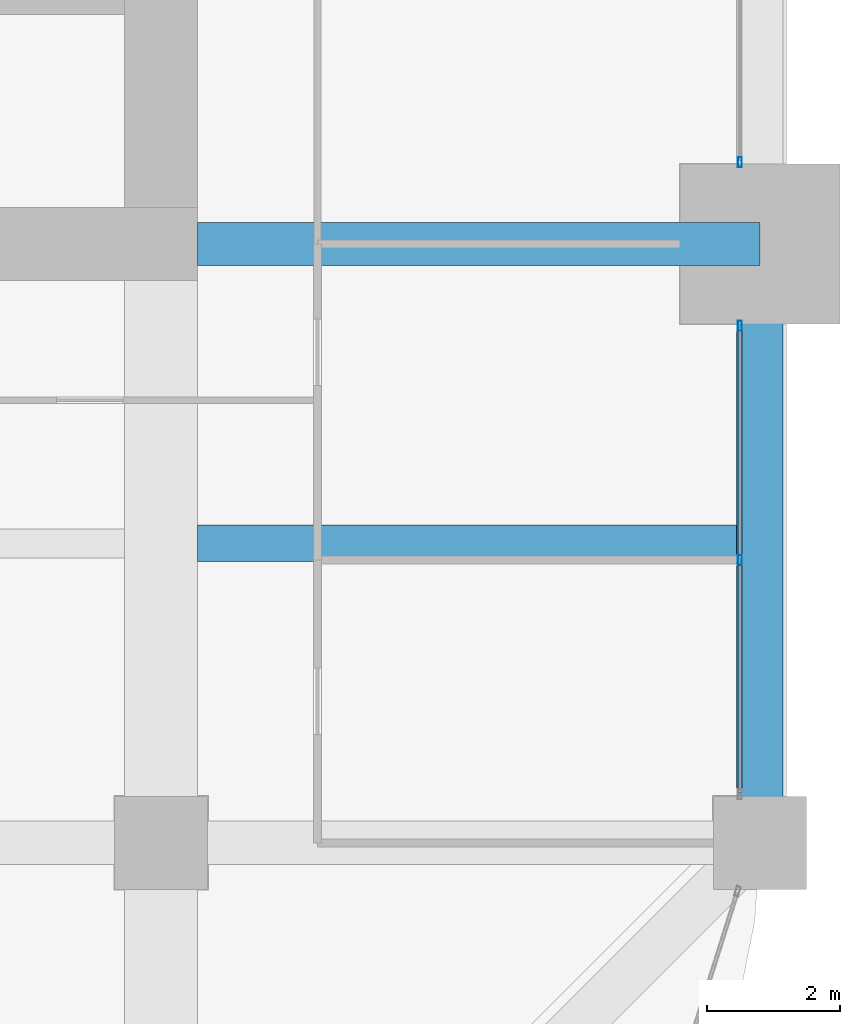
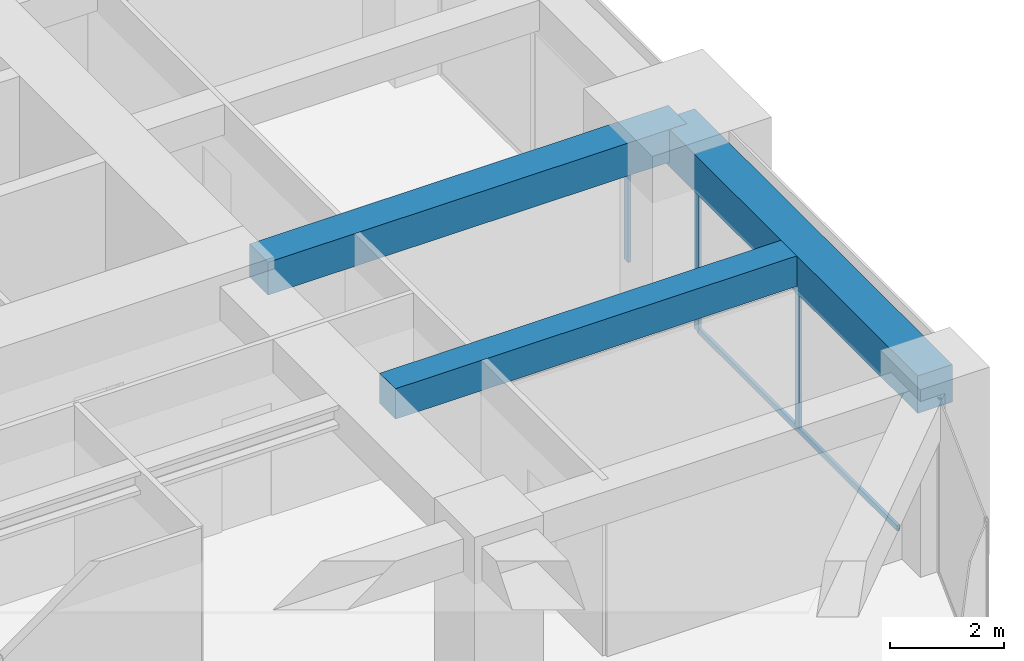
# One storey, part 17 of 32: 4 members, 3 beams, 2 elements without a shape of their own.
"""IFC4 building model written with IfcOpenShell, lengths in metres."""

from ifc_helpers import new_model, si_unit, direction, frame, origin, origin_2d, place, context, subcontext, project, spatial, rectangle, hollow_rectangle, extrude, material, material_profile, profile_set, type_object, element, aggregate, save


model = new_model("IFC4")

# Units and contexts
model_context = context("Model", 3, precision=1e-05, world=origin(), true_north=direction((0.0, 1.0)))
body_context = subcontext(model_context, "Body", "Model", "MODEL_VIEW")
ifc_project = project(units=[si_unit("LENGTHUNIT", "METRE"), si_unit("AREAUNIT", "SQUARE_METRE"), si_unit("VOLUMEUNIT", "CUBIC_METRE"), si_unit("PLANEANGLEUNIT", "RADIAN"), si_unit("MASSUNIT", "GRAM", prefix="KILO")], contexts=[model_context])

# Site, building, storey
site_placement = place(None, origin())
site = spatial("IfcSite", under=ifc_project, at=site_placement, CompositionType="ELEMENT")
building_placement = place(site_placement, origin())
building = spatial("IfcBuilding", under=site, at=building_placement, Name="Zorevar Civic Tower", CompositionType="ELEMENT")
storey_placement = place(building_placement, frame((0.0, 0.0, 202.199951171875)))
storey = spatial("IfcBuildingStorey", under=building, at=storey_placement, Name="L49", CompositionType="ELEMENT", Elevation=202.199951171875)

# Beams
ifc_material_1 = material(Name="Concrete C50/60", Category="concrete")
ifc_material_profile_1 = material_profile(ifc_material_1, rectangle(XDim=0.550048828125, YDim=0.64990234375, at=origin_2d()), Name="RC 550x650")
ifc_profile_set_1 = profile_set([ifc_material_profile_1], Name="Concrete C50/60")
beam_type_1 = type_object("IfcBeamType", Name="Beam RC 550x650", PredefinedType="BEAM", material=ifc_profile_set_1)
beam_1_placement = place(storey_placement, frame((45.550048828125, 13.5, 3.425048828125), z_axis=(1.0, 0.0, 0.0), x_axis=(0.0, 1.0, 0.0)))
element("IfcBeam", 1, at=beam_1_placement, inside=storey, type_object=beam_type_1, Name="Secondary beam L50", PredefinedType="BEAM", context=body_context, shape_type="SweptSolid", body=[
    extrude(rectangle(XDim=0.550048828125, YDim=0.64990234375, at=origin_2d()), origin(), (0.0, 0.0, 1.0), 8.099853515625),
])
ifc_material_2 = material(Name="Concrete C50/60", Category="concrete")
ifc_material_profile_2 = material_profile(ifc_material_2, rectangle(XDim=0.64990234375, YDim=0.699951171875, at=origin_2d()), Name="RC 650x700")
ifc_profile_set_2 = profile_set([ifc_material_profile_2], Name="Concrete C50/60")
beam_type_2 = type_object("IfcBeamType", Name="Beam RC 650x700", PredefinedType="BEAM", material=ifc_profile_set_2)
beam_2_placement = place(storey_placement, frame((45.550048828125, 18.0, 3.400146484375), z_axis=(1.0, 0.0, 0.0), x_axis=(0.0, 1.0, 0.0)))
element("IfcBeam", 2, at=beam_2_placement, inside=storey, type_object=beam_type_2, Name="Girder L50", PredefinedType="BEAM", context=body_context, shape_type="SweptSolid", body=[
    extrude(rectangle(XDim=0.64990234375, YDim=0.699951171875, at=origin_2d()), origin(), (0.0, 0.0, 1.0), 8.449951171875),
])

# Curtain wall, members
ifc_material_3 = material(Name="Dark grey solar-control glass in black aluminium frame", Category="aluminium")
curtain_wall_type = type_object("IfcCurtainWallType", Name="Curtain wall CW4 high zone", PredefinedType="NOTDEFINED", material=ifc_material_3)
curtain_wall_1_placement = place(storey_placement, origin())
curtain_wall_1 = element("IfcCurtainWall", 3, at=curtain_wall_1_placement, inside=storey, type_object=curtain_wall_type, Name="CW4 L49", PredefinedType="NOTDEFINED")
ifc_material_4 = material(Name="Aluminium, black anodised", Category="aluminium")
ifc_material_profile_3 = material_profile(ifc_material_4, hollow_rectangle(XDim=0.06005859375, YDim=0.14990234375, WallThickness=0.00390625, at=origin_2d()), Name="AL 150x60x4")
ifc_profile_set_3 = profile_set([ifc_material_profile_3], Name="Aluminium, black anodised")
member_type_1 = type_object("IfcMemberType", Name="CW4 mullion AL 150x60x4", PredefinedType="MULLION", material=ifc_profile_set_3)
member_1_placement = place(storey_placement, frame((53.699951171875, 13.25, 0.06005859375), z_axis=(0.0, 0.0, 1.0), x_axis=(-1.0, 0.0, 0.0)))
member_1 = element("IfcMember", 4, at=member_1_placement, type_object=member_type_1, Name="CW4 mullion 2", PredefinedType="MULLION", context=body_context, shape_type="SweptSolid", body=[
    extrude(hollow_rectangle(XDim=0.06005859375, YDim=0.14990234375, WallThickness=0.00390625, at=origin_2d()), origin(), (0.0, 0.0, 1.0), 2.889892578125),
])
member_2_placement = place(storey_placement, frame((53.699951171875, 16.77001953125, 0.0), z_axis=(0.0, 0.0, 1.0), x_axis=(-1.0, 0.0, 0.0)))
member_2 = element("IfcMember", 5, at=member_2_placement, type_object=member_type_1, Name="CW4 mullion 3", PredefinedType="MULLION", context=body_context, shape_type="SweptSolid", body=[
    extrude(hollow_rectangle(XDim=0.06005859375, YDim=0.14990234375, WallThickness=0.00390625, at=origin_2d()), origin(), (0.0, 0.0, 1.0), 2.949951171875),
])

# Curtain wall, member
curtain_wall_2_placement = place(storey_placement, origin())
curtain_wall_2 = element("IfcCurtainWall", 6, at=curtain_wall_2_placement, inside=storey, type_object=curtain_wall_type, Name="CW4 L49", PredefinedType="NOTDEFINED")
member_3_placement = place(storey_placement, frame((53.699951171875, 19.22998046875, 0.0), z_axis=(0.0, 0.0, 1.0), x_axis=(-1.0, 0.0, 0.0)))
member_3 = element("IfcMember", 7, at=member_3_placement, type_object=member_type_1, Name="CW4 mullion 1", PredefinedType="MULLION", context=body_context, shape_type="SweptSolid", body=[
    extrude(hollow_rectangle(XDim=0.06005859375, YDim=0.14990234375, WallThickness=0.00390625, at=origin_2d()), origin(), (0.0, 0.0, 1.0), 2.949951171875),
])
aggregate(curtain_wall_2, [member_3])

# Member
ifc_material_5 = material(Name="Aluminium, black anodised", Category="aluminium")
ifc_material_profile_4 = material_profile(ifc_material_5, hollow_rectangle(XDim=0.06005859375, YDim=0.1201171875, WallThickness=0.0029296875, at=origin_2d()), Name="AL 120x60x3")
ifc_profile_set_4 = profile_set([ifc_material_profile_4], Name="Aluminium, black anodised")
member_type_2 = type_object("IfcMemberType", Name="CW4 transom AL 120x60x3", PredefinedType="USERDEFINED", material=ifc_profile_set_4)
member_4_placement = place(storey_placement, frame((53.699951171875, 9.760009765625, 0.030029296875), z_axis=(0.0, 1.0, 0.0), x_axis=(-1.0, 0.0, 0.0)))
member_4 = element("IfcMember", 8, at=member_4_placement, type_object=member_type_2, Name="CW4 sill transom", ObjectType="TRANSOM", PredefinedType="USERDEFINED", context=body_context, shape_type="SweptSolid", body=[
    extrude(hollow_rectangle(XDim=0.06005859375, YDim=0.1201171875, WallThickness=0.0029296875, at=origin_2d()), origin(), (0.0, 0.0, 1.0), 6.97998046875),
])

aggregate(curtain_wall_1, [member_1, member_2, member_4])

# Beam
ifc_material_6 = material(Name="Concrete C50/60", Category="concrete")
ifc_material_profile_5 = material_profile(ifc_material_6, rectangle(XDim=0.699951171875, YDim=0.800048828125, at=origin_2d()), Name="RC 700x800")
ifc_profile_set_5 = profile_set([ifc_material_profile_5], Name="Concrete C50/60")
beam_type_3 = type_object("IfcBeamType", Name="Edge beam RC 700x800", PredefinedType="SPANDREL", material=ifc_profile_set_5)
beam_3_placement = place(storey_placement, frame((54.0, 9.0, 3.35009765625), z_axis=(0.0, 1.0, 0.0), x_axis=(-1.0, 0.0, 0.0)))
element("IfcBeam", 9, at=beam_3_placement, inside=storey, type_object=beam_type_3, Name="Edge beam L50", PredefinedType="SPANDREL", context=body_context, shape_type="SweptSolid", body=[
    extrude(rectangle(XDim=0.699951171875, YDim=0.800048828125, at=origin_2d()), origin(), (0.0, 0.0, 1.0), 9.0),
])

save(model, "model.ifc")
